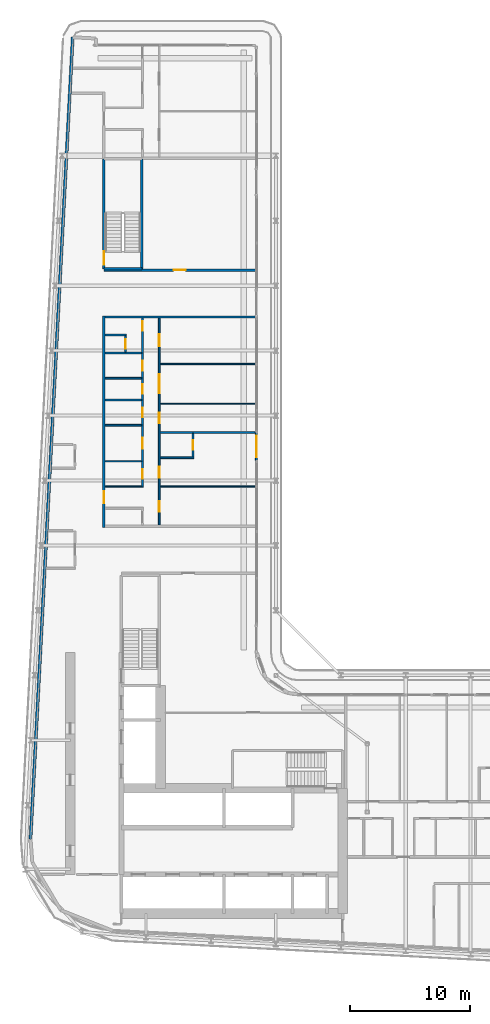
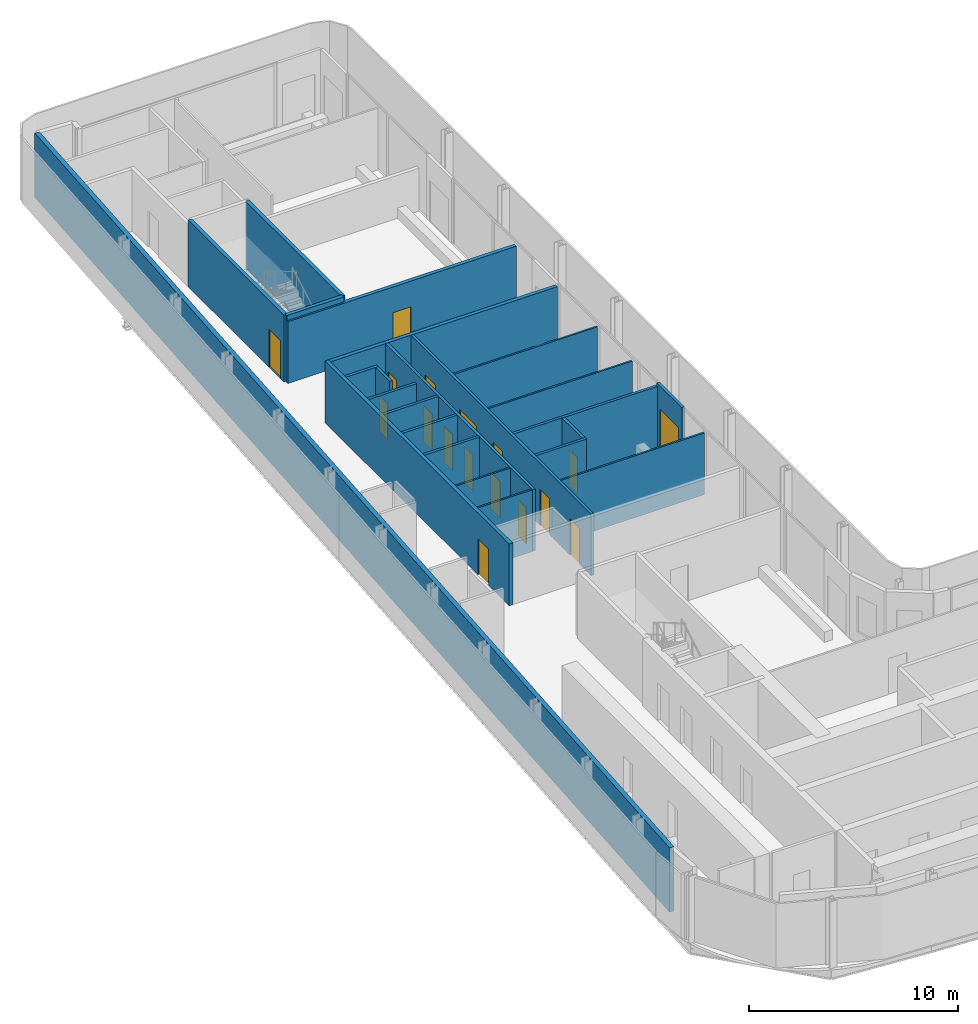
# One storey, part 20 of 30: 24 walls, 17 doors, 17 openings.
"""IFC4 building model written with IfcOpenShell, lengths in metres."""

from ifc_helpers import new_model, si_unit, direction, frame, frame_2d, origin, place, context, subcontext, project, spatial, rectangle, extrude, source, transform, mapped, material, layer, layer_set, type_object, element, fill, save


model = new_model("IFC4")

# Units and contexts
model_context = context("Model", 3, precision=1e-05, world=origin(), true_north=direction((0.0, 1.0)))
body_context = subcontext(model_context, "Body", "Model", "MODEL_VIEW")
ifc_project = project(units=[si_unit("LENGTHUNIT", "METRE"), si_unit("AREAUNIT", "SQUARE_METRE"), si_unit("VOLUMEUNIT", "CUBIC_METRE"), si_unit("PLANEANGLEUNIT", "RADIAN"), si_unit("MASSUNIT", "GRAM", prefix="KILO")], contexts=[model_context])

# Site, building, storey
site_placement = place(None, origin())
site = spatial("IfcSite", under=ifc_project, at=site_placement, CompositionType="ELEMENT")
building_placement = place(site_placement, origin())
building = spatial("IfcBuilding", under=site, at=building_placement, Name="Kheshtan School and Residences Tower", CompositionType="ELEMENT")
storey_placement = place(building_placement, frame((0.0, 0.0, 164.300048828125)))
storey = spatial("IfcBuildingStorey", under=building, at=storey_placement, Name="L38", CompositionType="ELEMENT", Elevation=164.300048828125)

# Wall, opening, door
ifc_material_1 = material(Name="Gypsum board on steel studs with fire boards", Category="steel")
ifc_layer_1 = layer(ifc_material_1, 0.199951171875)
ifc_layer_set_1 = layer_set([ifc_layer_1], Name="Corridor wall 200")
wall_type_1 = type_object("IfcWallType", Name="Corridor wall 200", PredefinedType="PARTITIONING", material=ifc_layer_set_1)
wall_1_placement = place(storey_placement, frame((33.300048828125, 57.89990234375, 0.0), z_axis=(0.0, 0.0, 1.0), x_axis=(0.0, 1.0, 0.0)))
wall_1 = element("IfcWall", 1, at=wall_1_placement, inside=storey, type_object=wall_type_1, Name="Partition L38-003", PredefinedType="PARTITIONING", context=body_context, shape_type="SweptSolid", body=[
    extrude(rectangle(XDim=17.60009765625, YDim=0.199951171875, at=frame_2d((8.800048828125, 0.0))), origin(), (0.0, 0.0, 1.0), 3.599853515625),
])
opening_1_placement = place(wall_1_placement, frame((2.0, 0.0, 0.0)))
opening_1 = element("IfcOpeningElement", 2, at=opening_1_placement, cuts=wall_1, Name="Opening D37-505", PredefinedType="OPENING", context=body_context, shape_type="SweptSolid", body=[
    extrude(rectangle(XDim=1.0, YDim=2.10009765625, at=frame_2d((0.5, 1.050048828125))), frame((0.0, 0.10986328125, 0.0), z_axis=(0.0, -1.0, 0.0), x_axis=(1.0, 0.0, 0.0)), (0.0, 0.0, 1.0), 0.219970703125),
])
ifc_material_2 = material(Name="Steel-framed fire-resisting door leaf", Category="steel")
door_type_1 = type_object("IfcDoorType", Name="Fire door FD30S 1000 x 2100", OperationType="SINGLE_SWING_LEFT", PredefinedType="DOOR", material=ifc_material_2)
shared_shape_1 = source(origin(), body_context, "Body", "SweptSolid", [
    extrude(rectangle(XDim=1.0, YDim=2.10009765625, at=frame_2d((0.5, 1.050048828125))), frame((0.0, 0.02490234375, 0.0), z_axis=(0.0, -1.0, 0.0), x_axis=(1.0, 0.0, 0.0)), (0.0, 0.0, 1.0), 0.050048828125),
])
door_1_placement = place(opening_1_placement, origin())
door_1 = element("IfcDoor", 3, at=door_1_placement, inside=storey, type_object=door_type_1, Name="Door D37-505", OperationType="SINGLE_SWING_LEFT", OverallHeight=2.10009765625, OverallWidth=1.0, PredefinedType="DOOR", context=body_context, shape_type="MappedRepresentation", body=[
    mapped(shared_shape_1, transform((0.0, 0.0, 0.0), x_axis=(1.0, 0.0, 0.0), y_axis=(0.0, 1.0, 0.0), z_axis=(0.0, 0.0, 1.0), scale=1.0)),
])
fill(opening_1, door_1)

wall_2_placement = place(storey_placement, frame((33.300048828125, 79.300048828125, 0.0), z_axis=(0.0, 0.0, 1.0), x_axis=(1.0, 0.0, 0.0)))
wall_2 = element("IfcWall", 4, at=wall_2_placement, inside=storey, type_object=wall_type_1, Name="Partition L38-004", PredefinedType="PARTITIONING", context=body_context, shape_type="SweptSolid", body=[
    extrude(rectangle(XDim=12.599853515625, YDim=0.199951171875, at=frame_2d((6.2998046875, 0.0))), origin(), (0.0, 0.0, 1.0), 3.599853515625),
])
opening_2_placement = place(wall_2_placement, frame((5.794921875, 0.0, 0.0)))
opening_2 = element("IfcOpeningElement", 5, at=opening_2_placement, cuts=wall_2, Name="Opening D37-053", PredefinedType="OPENING", context=body_context, shape_type="SweptSolid", body=[
    extrude(rectangle(XDim=1.0, YDim=2.10009765625, at=frame_2d((0.5, 1.050048828125))), frame((0.0, 0.10986328125, 0.0), z_axis=(0.0, -1.0, 0.0), x_axis=(1.0, 0.0, 0.0)), (0.0, 0.0, 1.0), 0.219970703125),
])
door_type_2 = type_object("IfcDoorType", Name="Fire door FD60 1000 x 2100", OperationType="SINGLE_SWING_LEFT", PredefinedType="DOOR", material=ifc_material_2)
shared_shape_2 = source(origin(), body_context, "Body", "SweptSolid", [
    extrude(rectangle(XDim=1.0, YDim=2.10009765625, at=frame_2d((0.5, 1.050048828125))), frame((0.0, 0.02490234375, 0.0), z_axis=(0.0, -1.0, 0.0), x_axis=(1.0, 0.0, 0.0)), (0.0, 0.0, 1.0), 0.050048828125),
])
door_2_placement = place(opening_2_placement, origin())
door_2 = element("IfcDoor", 6, at=door_2_placement, inside=storey, type_object=door_type_2, Name="Door D37-053", OperationType="SINGLE_SWING_RIGHT", OverallHeight=2.10009765625, OverallWidth=1.0, PredefinedType="DOOR", context=body_context, shape_type="MappedRepresentation", body=[
    mapped(shared_shape_2, transform((0.0, 0.0, 0.0), x_axis=(1.0, 0.0, 0.0), y_axis=(0.0, 1.0, 0.0), z_axis=(0.0, 0.0, 1.0), scale=1.0)),
])
fill(opening_2, door_2)

# Walls
wall_3_placement = place(storey_placement, frame((33.39990234375, 75.39990234375, 0.0), z_axis=(0.0, 0.0, 1.0), x_axis=(1.0, 0.0, 0.0)))
element("IfcWall", 7, at=wall_3_placement, inside=storey, type_object=wall_type_1, Name="Partition L38-015", PredefinedType="PARTITIONING", context=body_context, shape_type="SweptSolid", body=[
    extrude(rectangle(XDim=12.5, YDim=0.199951171875, at=frame_2d((6.25, 0.0))), origin(), (0.0, 0.0, 1.0), 3.599853515625),
])
ifc_material_3 = material(Name="Concrete C40/50 with ceramic cladding and mineral wool insulation", Category="concrete")
ifc_layer_2 = layer(ifc_material_3, 0.25)
ifc_layer_set_2 = layer_set([ifc_layer_2], Name="External wall 250 ceramic clad")
wall_type_2 = type_object("IfcWallType", Name="External wall 250 ceramic clad", PredefinedType="SOLIDWALL", material=ifc_layer_set_2)
wall_4_placement = place(storey_placement, frame((27.195068359375, 31.968994140625, 0.0), z_axis=(0.0, 0.0, 1.0), x_axis=(0.052554995867, 0.998618031286, 0.0)))
element("IfcWall", 8, at=wall_4_placement, inside=storey, type_object=wall_type_2, Name="External wall L38 4", PredefinedType="SOLIDWALL", context=body_context, shape_type="SweptSolid", body=[
    extrude(rectangle(XDim=66.787353515625, YDim=0.25, at=frame_2d((33.3935546875, 0.0))), origin(), (0.0, 0.0, 1.0), 3.75),
])

# Wall, opening, door
ifc_material_4 = material(Name="Aluminium frame wall with insulated infill", Category="aluminium")
ifc_layer_3 = layer(ifc_material_4, 0.14990234375)
ifc_layer_set_3 = layer_set([ifc_layer_3], Name="Glazing frame wall 150")
wall_type_3 = type_object("IfcWallType", Name="Glazing frame wall 150", PredefinedType="SOLIDWALL", material=ifc_layer_set_3)
wall_5_placement = place(storey_placement, frame((45.97509765625, 65.818115234375, 0.0), z_axis=(0.0, 0.0, 1.0), x_axis=(0.0, -1.0, 0.0)))
wall_5 = element("IfcWall", 9, at=wall_5_placement, inside=storey, type_object=wall_type_3, Name="Balcony door wall L38 8.4", PredefinedType="SOLIDWALL", context=body_context, shape_type="SweptSolid", body=[
    extrude(rectangle(XDim=2.400146484375, YDim=0.14990234375, at=frame_2d((1.2001953125, 0.0))), origin(), (0.0, 0.0, 1.0), 3.75),
])
opening_3_placement = place(wall_5_placement, frame((0.300048828125, 0.0, 0.0)))
opening_3 = element("IfcOpeningElement", 10, at=opening_3_placement, cuts=wall_5, Name="Opening BD", PredefinedType="OPENING", context=body_context, shape_type="SweptSolid", body=[
    extrude(rectangle(XDim=1.800048828125, YDim=2.39990234375, at=frame_2d((0.89990234375, 1.199951171875))), frame((0.0, 0.0849609375, 0.0), z_axis=(0.0, -1.0, 0.0), x_axis=(1.0, 0.0, 0.0)), (0.0, 0.0, 1.0), 0.169921875),
])
ifc_material_5 = material(Name="Clear low-e glass in thermally broken aluminium frame", Category="aluminium")
door_type_3 = type_object("IfcDoorType", Name="Balcony sliding door", OperationType="SLIDING_TO_LEFT", PredefinedType="DOOR", material=ifc_material_5)
shared_shape_3 = source(origin(), body_context, "Body", "SweptSolid", [
    extrude(rectangle(XDim=1.800048828125, YDim=2.39990234375, at=frame_2d((0.89990234375, 1.199951171875))), frame((0.0, 0.02490234375, 0.0), z_axis=(0.0, -1.0, 0.0), x_axis=(1.0, 0.0, 0.0)), (0.0, 0.0, 1.0), 0.050048828125),
])
door_3_placement = place(opening_3_placement, origin())
door_3 = element("IfcDoor", 11, at=door_3_placement, inside=storey, type_object=door_type_3, Name="Balcony door L38 8.4", OperationType="SLIDING_TO_LEFT", OverallHeight=2.39990234375, OverallWidth=1.800048828125, PredefinedType="DOOR", context=body_context, shape_type="MappedRepresentation", body=[
    mapped(shared_shape_3, transform((0.0, 0.0, 0.0), x_axis=(1.0, 0.0, 0.0), y_axis=(0.0, 1.0, 0.0), z_axis=(0.0, 0.0, 1.0), scale=1.0)),
])
fill(opening_3, door_3)

# Walls
ifc_material_6 = material(Name="Gypsum board on steel studs", Category="steel")
ifc_layer_4 = layer(ifc_material_6, 0.10009765625)
ifc_layer_set_4 = layer_set([ifc_layer_4], Name="Gypsum partition 100")
wall_type_4 = type_object("IfcWallType", Name="Gypsum partition 100", PredefinedType="PARTITIONING", material=ifc_layer_set_4)
for number, where, z_axis, x_axis, name in (
    (12, (33.39990234375, 61.300048828125, 0.0), (0.0, 0.0, 1.0), (1.0, 0.0, 0.0), "Partition L38-008"),
    (13, (33.39990234375, 63.39990234375, 0.0), (0.0, 0.0, 1.0), (1.0, 0.0, 0.0), "Partition L38-009"),
):
    element("IfcWall", number, at=place(storey_placement, frame(where, z_axis=z_axis, x_axis=x_axis)), inside=storey, type_object=wall_type_4, Name=name, PredefinedType="PARTITIONING", context=body_context, shape_type="SweptSolid", body=[
        extrude(rectangle(XDim=3.025146484375, YDim=0.10009765625, at=frame_2d((1.5126953125, 0.0))), origin(), (0.0, 0.0, 1.0), 3.599853515625),
    ])
for number, where, z_axis, x_axis, name in (
    (14, (37.97509765625, 61.300048828125, 0.0), (0.0, 0.0, 1.0), (1.0, 0.0, 0.0), "Partition L38-030"),
    (15, (37.97509765625, 68.199951171875, 0.0), (0.0, 0.0, 1.0), (1.0, 0.0, 0.0), "Partition L38-033"),
    (16, (37.97509765625, 71.5, 0.0), (0.0, 0.0, 1.0), (1.0, 0.0, 0.0), "Partition L38-034"),
):
    element("IfcWall", number, at=place(storey_placement, frame(where, z_axis=z_axis, x_axis=x_axis)), inside=storey, type_object=wall_type_4, Name=name, PredefinedType="PARTITIONING", context=body_context, shape_type="SweptSolid", body=[
        extrude(rectangle(XDim=7.9248046875, YDim=0.10009765625, at=frame_2d((3.96240234375, 0.0))), origin(), (0.0, 0.0, 1.0), 3.599853515625),
    ])
ifc_material_7 = material(Name="Concrete C40/50", Category="concrete")
ifc_layer_5 = layer(ifc_material_7, 0.199951171875)
ifc_layer_set_5 = layer_set([ifc_layer_5], Name="Stair enclosure wall 200 Concrete C40/50")
wall_type_5 = type_object("IfcWallType", Name="Stair enclosure wall 200 Concrete C40/50", PredefinedType="SHEAR", material=ifc_layer_set_5)
wall_6_placement = place(storey_placement, frame((33.300048828125, 79.39990234375, 0.0), z_axis=(0.0, 0.0, 1.0), x_axis=(1.0, 0.0, 0.0)))
element("IfcWall", 17, at=wall_6_placement, inside=storey, type_object=wall_type_5, Name="Stair enclosure wall ST3", PredefinedType="SHEAR", context=body_context, shape_type="SweptSolid", body=[
    extrude(rectangle(XDim=3.14990234375, YDim=0.199951171875, at=frame_2d((1.574951171875, 0.0))), origin(), (0.0, 0.0, 1.0), 3.89990234375),
])

# Wall, opening, door
wall_7_placement = place(storey_placement, frame((33.300048828125, 79.39990234375, 0.0), z_axis=(0.0, 0.0, 1.0), x_axis=(0.0, 1.0, 0.0)))
wall_7 = element("IfcWall", 18, at=wall_7_placement, inside=storey, type_object=wall_type_5, Name="Stair enclosure wall ST3", PredefinedType="SHEAR", context=body_context, shape_type="SweptSolid", body=[
    extrude(rectangle(XDim=9.16015625, YDim=0.199951171875, at=frame_2d((4.580078125, 0.0))), origin(), (0.0, 0.0, 1.0), 3.89990234375),
])
opening_4_placement = place(wall_7_placement, frame((0.35009765625, 0.0, 0.0)))
opening_4 = element("IfcOpeningElement", 19, at=opening_4_placement, cuts=wall_7, Name="Opening ST3D", PredefinedType="OPENING", context=body_context, shape_type="SweptSolid", body=[
    extrude(rectangle(XDim=1.10009765625, YDim=2.199951171875, at=frame_2d((0.550048828125, 1.10009765625))), frame((0.0, 0.10986328125, 0.0), z_axis=(0.0, -1.0, 0.0), x_axis=(1.0, 0.0, 0.0)), (0.0, 0.0, 1.0), 0.219970703125),
])
ifc_material_8 = material(Name="Steel door leaf, galvanised", Category="steel")
door_type_4 = type_object("IfcDoorType", Name="Stair door 1100 steel 90 min", OperationType="SINGLE_SWING_LEFT", PredefinedType="DOOR", material=ifc_material_8)
shared_shape_4 = source(origin(), body_context, "Body", "SweptSolid", [
    extrude(rectangle(XDim=1.10009765625, YDim=2.199951171875, at=frame_2d((0.550048828125, 1.10009765625))), frame((0.0, 0.02490234375, 0.0), z_axis=(0.0, -1.0, 0.0), x_axis=(1.0, 0.0, 0.0)), (0.0, 0.0, 1.0), 0.050048828125),
])
door_4_placement = place(opening_4_placement, origin())
door_4 = element("IfcDoor", 20, at=door_4_placement, inside=storey, type_object=door_type_4, Name="Stair ST3 door", OperationType="SINGLE_SWING_RIGHT", OverallHeight=2.199951171875, OverallWidth=1.10009765625, PredefinedType="DOOR", context=body_context, shape_type="MappedRepresentation", body=[
    mapped(shared_shape_4, transform((0.0, 0.0, 0.0), x_axis=(1.0, 0.0, 0.0), y_axis=(0.0, 1.0, 0.0), z_axis=(0.0, 0.0, 1.0), scale=1.0)),
])
fill(opening_4, door_4)

# Walls
wall_8_placement = place(storey_placement, frame((36.449951171875, 79.39990234375, 0.0), z_axis=(0.0, 0.0, 1.0), x_axis=(0.0, 1.0, 0.0)))
element("IfcWall", 21, at=wall_8_placement, inside=storey, type_object=wall_type_5, Name="Stair enclosure wall ST3", PredefinedType="SHEAR", context=body_context, shape_type="SweptSolid", body=[
    extrude(rectangle(XDim=9.16015625, YDim=0.199951171875, at=frame_2d((4.580078125, 0.0))), origin(), (0.0, 0.0, 1.0), 3.89990234375),
])
ifc_material_9 = material(Name="Moisture-resistant gypsum board on steel studs", Category="steel")
ifc_layer_6 = layer(ifc_material_9, 0.14990234375)
ifc_layer_set_6 = layer_set([ifc_layer_6], Name="Wet-room partition 150")
wall_type_6 = type_object("IfcWallType", Name="Wet-room partition 150", PredefinedType="PARTITIONING", material=ifc_layer_set_6)
for number, where, z_axis, x_axis, name in (
    (22, (33.39990234375, 66.39990234375, 0.0), (0.0, 0.0, 1.0), (1.0, 0.0, 0.0), "Partition L38-010"),
    (23, (33.39990234375, 68.5, 0.0), (0.0, 0.0, 1.0), (1.0, 0.0, 0.0), "Partition L38-011"),
    (24, (33.39990234375, 70.300048828125, 0.0), (0.0, 0.0, 1.0), (1.0, 0.0, 0.0), "Partition L38-012"),
):
    element("IfcWall", number, at=place(storey_placement, frame(where, z_axis=z_axis, x_axis=x_axis)), inside=storey, type_object=wall_type_6, Name=name, PredefinedType="PARTITIONING", context=body_context, shape_type="SweptSolid", body=[
        extrude(rectangle(XDim=3.025146484375, YDim=0.14990234375, at=frame_2d((1.5126953125, 0.0))), origin(), (0.0, 0.0, 1.0), 3.599853515625),
    ])
wall_9_placement = place(storey_placement, frame((33.39990234375, 72.39990234375, 0.0), z_axis=(0.0, 0.0, 1.0), x_axis=(1.0, 0.0, 0.0)))
element("IfcWall", 25, at=wall_9_placement, inside=storey, type_object=wall_type_6, Name="Partition L38-013", PredefinedType="PARTITIONING", context=body_context, shape_type="SweptSolid", body=[
    extrude(rectangle(XDim=3.025146484375, YDim=0.14990234375, at=frame_2d((1.5126953125, 0.0))), origin(), (0.0, 0.0, 1.0), 3.072021484375),
])
wall_10_placement = place(storey_placement, frame((33.39990234375, 73.89990234375, 0.0), z_axis=(0.0, 0.0, 1.0), x_axis=(1.0, 0.0, 0.0)))
element("IfcWall", 26, at=wall_10_placement, inside=storey, type_object=wall_type_6, Name="Partition L38-014", PredefinedType="PARTITIONING", context=body_context, shape_type="SweptSolid", body=[
    extrude(rectangle(XDim=1.775146484375, YDim=0.14990234375, at=frame_2d((0.8876953125, 0.0))), origin(), (0.0, 0.0, 1.0), 3.599853515625),
])

# Wall, opening, door
wall_11_placement = place(storey_placement, frame((35.10009765625, 72.47509765625, 0.0), z_axis=(0.0, 0.0, 1.0), x_axis=(0.0, 1.0, 0.0)))
wall_11 = element("IfcWall", 27, at=wall_11_placement, inside=storey, type_object=wall_type_6, Name="Partition L38-021", PredefinedType="PARTITIONING", context=body_context, shape_type="SweptSolid", body=[
    extrude(rectangle(XDim=1.349853515625, YDim=0.14990234375, at=frame_2d((0.6748046875, 0.0))), origin(), (0.0, 0.0, 1.0), 3.599853515625),
])
opening_5_placement = place(wall_11_placement, frame((0.27490234375, 0.0, 0.0)))
opening_5 = element("IfcOpeningElement", 28, at=opening_5_placement, cuts=wall_11, Name="Opening D37-509", PredefinedType="OPENING", context=body_context, shape_type="SweptSolid", body=[
    extrude(rectangle(XDim=0.800048828125, YDim=2.10009765625, at=frame_2d((0.39990234375, 1.050048828125))), frame((0.0, 0.0849609375, 0.0), z_axis=(0.0, -1.0, 0.0), x_axis=(1.0, 0.0, 0.0)), (0.0, 0.0, 1.0), 0.169921875),
])
ifc_material_10 = material(Name="Veneered timber door leaf", Category="wood")
door_type_5 = type_object("IfcDoorType", Name="Door 800 x 2100", OperationType="SINGLE_SWING_LEFT", PredefinedType="DOOR", material=ifc_material_10)
shared_shape_5 = source(origin(), body_context, "Body", "SweptSolid", [
    extrude(rectangle(XDim=0.800048828125, YDim=2.10009765625, at=frame_2d((0.39990234375, 1.050048828125))), frame((0.0, 0.02490234375, 0.0), z_axis=(0.0, -1.0, 0.0), x_axis=(1.0, 0.0, 0.0)), (0.0, 0.0, 1.0), 0.050048828125),
])
door_5_placement = place(opening_5_placement, origin())
door_5 = element("IfcDoor", 29, at=door_5_placement, inside=storey, type_object=door_type_5, Name="Door D37-509", OperationType="SINGLE_SWING_LEFT", OverallHeight=2.10009765625, OverallWidth=0.800048828125, PredefinedType="DOOR", context=body_context, shape_type="MappedRepresentation", body=[
    mapped(shared_shape_5, transform((0.0, 0.0, 0.0), x_axis=(1.0, 0.0, 0.0), y_axis=(0.0, 1.0, 0.0), z_axis=(0.0, 0.0, 1.0), scale=1.0)),
])
fill(opening_5, door_5)

# Wall, openings, doors
wall_12_placement = place(storey_placement, frame((36.5, 61.25, 0.0), z_axis=(0.0, 0.0, 1.0), x_axis=(0.0, 1.0, 0.0)))
wall_12 = element("IfcWall", 30, at=wall_12_placement, inside=storey, type_object=wall_type_6, Name="Partition L38-024", PredefinedType="PARTITIONING", context=body_context, shape_type="SweptSolid", body=[
    extrude(rectangle(XDim=14.050048828125, YDim=0.14990234375, at=frame_2d((7.02490234375, 0.0))), origin(), (0.0, 0.0, 1.0), 3.599853515625),
])
opening_6_placement = place(wall_12_placement, frame((5.800048828125, 0.0, 0.0)))
opening_6 = element("IfcOpeningElement", 31, at=opening_6_placement, cuts=wall_12, Name="Opening D37-029", PredefinedType="OPENING", context=body_context, shape_type="SweptSolid", body=[
    extrude(rectangle(XDim=0.800048828125, YDim=2.10009765625, at=frame_2d((0.39990234375, 1.050048828125))), frame((0.0, 0.0849609375, 0.0), z_axis=(0.0, -1.0, 0.0), x_axis=(1.0, 0.0, 0.0)), (0.0, 0.0, 1.0), 0.169921875),
])
opening_7_placement = place(wall_12_placement, frame((9.699951171875, 0.0, 0.0)))
opening_7 = element("IfcOpeningElement", 32, at=opening_7_placement, cuts=wall_12, Name="Opening D37-502", PredefinedType="OPENING", context=body_context, shape_type="SweptSolid", body=[
    extrude(rectangle(XDim=0.800048828125, YDim=2.10009765625, at=frame_2d((0.39990234375, 1.050048828125))), frame((0.0, 0.0849609375, 0.0), z_axis=(0.0, -1.0, 0.0), x_axis=(1.0, 0.0, 0.0)), (0.0, 0.0, 1.0), 0.169921875),
])
opening_8_placement = place(wall_12_placement, frame((0.699951171875, 0.0, 0.0)))
opening_8 = element("IfcOpeningElement", 33, at=opening_8_placement, cuts=wall_12, Name="Opening D37-033", PredefinedType="OPENING", context=body_context, shape_type="SweptSolid", body=[
    extrude(rectangle(XDim=0.800048828125, YDim=2.10009765625, at=frame_2d((0.39990234375, 1.050048828125))), frame((0.0, 0.0849609375, 0.0), z_axis=(0.0, -1.0, 0.0), x_axis=(1.0, 0.0, 0.0)), (0.0, 0.0, 1.0), 0.169921875),
])
opening_9_placement = place(wall_12_placement, frame((3.199951171875, 0.0, 0.0)))
opening_9 = element("IfcOpeningElement", 34, at=opening_9_placement, cuts=wall_12, Name="Opening D37-506", PredefinedType="OPENING", context=body_context, shape_type="SweptSolid", body=[
    extrude(rectangle(XDim=0.89990234375, YDim=2.10009765625, at=frame_2d((0.449951171875, 1.050048828125))), frame((0.0, 0.0849609375, 0.0), z_axis=(0.0, -1.0, 0.0), x_axis=(1.0, 0.0, 0.0)), (0.0, 0.0, 1.0), 0.169921875),
])
opening_10_placement = place(wall_12_placement, frame((7.75, 0.0, 0.0)))
opening_10 = element("IfcOpeningElement", 35, at=opening_10_placement, cuts=wall_12, Name="Opening D37-507", PredefinedType="OPENING", context=body_context, shape_type="SweptSolid", body=[
    extrude(rectangle(XDim=0.800048828125, YDim=2.10009765625, at=frame_2d((0.39990234375, 1.050048828125))), frame((0.0, 0.0849609375, 0.0), z_axis=(0.0, -1.0, 0.0), x_axis=(1.0, 0.0, 0.0)), (0.0, 0.0, 1.0), 0.169921875),
])
opening_11_placement = place(wall_12_placement, frame((13.0, 0.0, 0.0)))
opening_11 = element("IfcOpeningElement", 36, at=opening_11_placement, cuts=wall_12, Name="Opening D37-039", PredefinedType="OPENING", context=body_context, shape_type="SweptSolid", body=[
    extrude(rectangle(XDim=0.800048828125, YDim=2.10009765625, at=frame_2d((0.39990234375, 1.050048828125))), frame((0.0, 0.0849609375, 0.0), z_axis=(0.0, -1.0, 0.0), x_axis=(1.0, 0.0, 0.0)), (0.0, 0.0, 1.0), 0.169921875),
])
door_6_placement = place(opening_6_placement, origin())
door_6 = element("IfcDoor", 37, at=door_6_placement, inside=storey, type_object=door_type_5, Name="Door D37-029", OperationType="SINGLE_SWING_RIGHT", OverallHeight=2.10009765625, OverallWidth=0.800048828125, PredefinedType="DOOR", context=body_context, shape_type="MappedRepresentation", body=[
    mapped(shared_shape_5, transform((0.0, 0.0, 0.0), x_axis=(1.0, 0.0, 0.0), y_axis=(0.0, 1.0, 0.0), z_axis=(0.0, 0.0, 1.0), scale=1.0)),
])
fill(opening_6, door_6)
door_7_placement = place(opening_7_placement, origin())
door_7 = element("IfcDoor", 38, at=door_7_placement, inside=storey, type_object=door_type_5, Name="Door D37-502", OperationType="SINGLE_SWING_LEFT", OverallHeight=2.10009765625, OverallWidth=0.800048828125, PredefinedType="DOOR", context=body_context, shape_type="MappedRepresentation", body=[
    mapped(shared_shape_5, transform((0.0, 0.0, 0.0), x_axis=(1.0, 0.0, 0.0), y_axis=(0.0, 1.0, 0.0), z_axis=(0.0, 0.0, 1.0), scale=1.0)),
])
fill(opening_7, door_7)
door_8_placement = place(opening_8_placement, origin())
door_8 = element("IfcDoor", 39, at=door_8_placement, inside=storey, type_object=door_type_5, Name="Door D37-033", OperationType="SINGLE_SWING_LEFT", OverallHeight=2.10009765625, OverallWidth=0.800048828125, PredefinedType="DOOR", context=body_context, shape_type="MappedRepresentation", body=[
    mapped(shared_shape_5, transform((0.0, 0.0, 0.0), x_axis=(1.0, 0.0, 0.0), y_axis=(0.0, 1.0, 0.0), z_axis=(0.0, 0.0, 1.0), scale=1.0)),
])
fill(opening_8, door_8)
door_9_placement = place(opening_10_placement, origin())
door_9 = element("IfcDoor", 40, at=door_9_placement, inside=storey, type_object=door_type_5, Name="Door D37-507", OperationType="SINGLE_SWING_RIGHT", OverallHeight=2.10009765625, OverallWidth=0.800048828125, PredefinedType="DOOR", context=body_context, shape_type="MappedRepresentation", body=[
    mapped(shared_shape_5, transform((0.0, 0.0, 0.0), x_axis=(1.0, 0.0, 0.0), y_axis=(0.0, 1.0, 0.0), z_axis=(0.0, 0.0, 1.0), scale=1.0)),
])
fill(opening_10, door_9)
door_10_placement = place(opening_11_placement, origin())
door_10 = element("IfcDoor", 41, at=door_10_placement, inside=storey, type_object=door_type_5, Name="Door D37-039", OperationType="SINGLE_SWING_RIGHT", OverallHeight=2.10009765625, OverallWidth=0.800048828125, PredefinedType="DOOR", context=body_context, shape_type="MappedRepresentation", body=[
    mapped(shared_shape_5, transform((0.0, 0.0, 0.0), x_axis=(1.0, 0.0, 0.0), y_axis=(0.0, 1.0, 0.0), z_axis=(0.0, 0.0, 1.0), scale=1.0)),
])
fill(opening_11, door_10)
door_type_6 = type_object("IfcDoorType", Name="Door 900 x 2100", OperationType="SINGLE_SWING_LEFT", PredefinedType="DOOR", material=ifc_material_10)
shared_shape_6 = source(origin(), body_context, "Body", "SweptSolid", [
    extrude(rectangle(XDim=0.89990234375, YDim=2.10009765625, at=frame_2d((0.449951171875, 1.050048828125))), frame((0.0, 0.02490234375, 0.0), z_axis=(0.0, -1.0, 0.0), x_axis=(1.0, 0.0, 0.0)), (0.0, 0.0, 1.0), 0.050048828125),
])
door_11_placement = place(opening_9_placement, origin())
door_11 = element("IfcDoor", 42, at=door_11_placement, inside=storey, type_object=door_type_6, Name="Door D37-506", OperationType="SINGLE_SWING_RIGHT", OverallHeight=2.10009765625, OverallWidth=0.89990234375, PredefinedType="DOOR", context=body_context, shape_type="MappedRepresentation", body=[
    mapped(shared_shape_6, transform((0.0, 0.0, 0.0), x_axis=(1.0, 0.0, 0.0), y_axis=(0.0, 1.0, 0.0), z_axis=(0.0, 0.0, 1.0), scale=1.0)),
])
fill(opening_9, door_11)

wall_13_placement = place(storey_placement, frame((37.89990234375, 58.10009765625, 0.0), z_axis=(0.0, 0.0, 1.0), x_axis=(0.0, 1.0, 0.0)))
wall_13 = element("IfcWall", 43, at=wall_13_placement, inside=storey, type_object=wall_type_6, Name="Partition L38-027", PredefinedType="PARTITIONING", context=body_context, shape_type="SweptSolid", body=[
    extrude(rectangle(XDim=17.199951171875, YDim=0.14990234375, at=frame_2d((8.60009765625, 0.0))), origin(), (0.0, 0.0, 1.0), 3.599853515625),
])
opening_12_placement = place(wall_13_placement, frame((1.10009765625, 0.0, 0.0)))
opening_12 = element("IfcOpeningElement", 44, at=opening_12_placement, cuts=wall_13, Name="Opening D37-031", PredefinedType="OPENING", context=body_context, shape_type="SweptSolid", body=[
    extrude(rectangle(XDim=0.89990234375, YDim=2.10009765625, at=frame_2d((0.449951171875, 1.050048828125))), frame((0.0, 0.0849609375, 0.0), z_axis=(0.0, -1.0, 0.0), x_axis=(1.0, 0.0, 0.0)), (0.0, 0.0, 1.0), 0.169921875),
])
opening_13_placement = place(wall_13_placement, frame((8.449951171875, 0.0, 0.0)))
opening_13 = element("IfcOpeningElement", 45, at=opening_13_placement, cuts=wall_13, Name="Opening D37-503", PredefinedType="OPENING", context=body_context, shape_type="SweptSolid", body=[
    extrude(rectangle(XDim=0.89990234375, YDim=2.10009765625, at=frame_2d((0.449951171875, 1.050048828125))), frame((0.0, 0.0849609375, 0.0), z_axis=(0.0, -1.0, 0.0), x_axis=(1.0, 0.0, 0.0)), (0.0, 0.0, 1.0), 0.169921875),
])
opening_14_placement = place(wall_13_placement, frame((14.85009765625, 0.0, 0.0)))
opening_14 = element("IfcOpeningElement", 46, at=opening_14_placement, cuts=wall_13, Name="Opening D37-508", PredefinedType="OPENING", context=body_context, shape_type="SweptSolid", body=[
    extrude(rectangle(XDim=1.0, YDim=2.10009765625, at=frame_2d((0.5, 1.050048828125))), frame((0.0, 0.0849609375, 0.0), z_axis=(0.0, -1.0, 0.0), x_axis=(1.0, 0.0, 0.0)), (0.0, 0.0, 1.0), 0.169921875),
])
opening_15_placement = place(wall_13_placement, frame((10.949951171875, 0.0, 0.0)))
opening_15 = element("IfcOpeningElement", 47, at=opening_15_placement, cuts=wall_13, Name="Opening D37-510", PredefinedType="OPENING", context=body_context, shape_type="SweptSolid", body=[
    extrude(rectangle(XDim=1.60009765625, YDim=2.10009765625, at=frame_2d((0.800048828125, 1.050048828125))), frame((0.0, 0.0849609375, 0.0), z_axis=(0.0, -1.0, 0.0), x_axis=(1.0, 0.0, 0.0)), (0.0, 0.0, 1.0), 0.169921875),
])
opening_16_placement = place(wall_13_placement, frame((3.949951171875, 0.0, 0.0)))
opening_16 = element("IfcOpeningElement", 48, at=opening_16_placement, cuts=wall_13, Name="Opening D37-511", PredefinedType="OPENING", context=body_context, shape_type="SweptSolid", body=[
    extrude(rectangle(XDim=0.89990234375, YDim=2.10009765625, at=frame_2d((0.449951171875, 1.050048828125))), frame((0.0, 0.0849609375, 0.0), z_axis=(0.0, -1.0, 0.0), x_axis=(1.0, 0.0, 0.0)), (0.0, 0.0, 1.0), 0.169921875),
])
door_type_7 = type_object("IfcDoorType", Name="Door 1000 x 2100", OperationType="SINGLE_SWING_LEFT", PredefinedType="DOOR", material=ifc_material_10)
shared_shape_7 = source(origin(), body_context, "Body", "SweptSolid", [
    extrude(rectangle(XDim=1.0, YDim=2.10009765625, at=frame_2d((0.5, 1.050048828125))), frame((0.0, 0.02490234375, 0.0), z_axis=(0.0, -1.0, 0.0), x_axis=(1.0, 0.0, 0.0)), (0.0, 0.0, 1.0), 0.050048828125),
])
door_12_placement = place(opening_14_placement, origin())
door_12 = element("IfcDoor", 49, at=door_12_placement, inside=storey, type_object=door_type_7, Name="Door D37-508", OperationType="SINGLE_SWING_RIGHT", OverallHeight=2.10009765625, OverallWidth=1.0, PredefinedType="DOOR", context=body_context, shape_type="MappedRepresentation", body=[
    mapped(shared_shape_7, transform((0.0, 0.0, 0.0), x_axis=(1.0, 0.0, 0.0), y_axis=(0.0, 1.0, 0.0), z_axis=(0.0, 0.0, 1.0), scale=1.0)),
])
fill(opening_14, door_12)
door_13_placement = place(opening_12_placement, origin())
door_13 = element("IfcDoor", 50, at=door_13_placement, inside=storey, type_object=door_type_6, Name="Door D37-031", OperationType="SINGLE_SWING_RIGHT", OverallHeight=2.10009765625, OverallWidth=0.89990234375, PredefinedType="DOOR", context=body_context, shape_type="MappedRepresentation", body=[
    mapped(shared_shape_6, transform((0.0, 0.0, 0.0), x_axis=(1.0, 0.0, 0.0), y_axis=(0.0, 1.0, 0.0), z_axis=(0.0, 0.0, 1.0), scale=1.0)),
])
fill(opening_12, door_13)
door_14_placement = place(opening_13_placement, origin())
door_14 = element("IfcDoor", 51, at=door_14_placement, inside=storey, type_object=door_type_6, Name="Door D37-503", OperationType="SINGLE_SWING_LEFT", OverallHeight=2.10009765625, OverallWidth=0.89990234375, PredefinedType="DOOR", context=body_context, shape_type="MappedRepresentation", body=[
    mapped(shared_shape_6, transform((0.0, 0.0, 0.0), x_axis=(1.0, 0.0, 0.0), y_axis=(0.0, 1.0, 0.0), z_axis=(0.0, 0.0, 1.0), scale=1.0)),
])
fill(opening_13, door_14)
door_15_placement = place(opening_16_placement, origin())
door_15 = element("IfcDoor", 52, at=door_15_placement, inside=storey, type_object=door_type_6, Name="Door D37-511", OperationType="SINGLE_SWING_RIGHT", OverallHeight=2.10009765625, OverallWidth=0.89990234375, PredefinedType="DOOR", context=body_context, shape_type="MappedRepresentation", body=[
    mapped(shared_shape_6, transform((0.0, 0.0, 0.0), x_axis=(1.0, 0.0, 0.0), y_axis=(0.0, 1.0, 0.0), z_axis=(0.0, 0.0, 1.0), scale=1.0)),
])
fill(opening_16, door_15)
door_type_8 = type_object("IfcDoorType", Name="Double door 1600 x 2100", OperationType="DOUBLE_DOOR_SINGLE_SWING", PredefinedType="DOOR", material=ifc_material_10)
shared_shape_8 = source(origin(), body_context, "Body", "SweptSolid", [
    extrude(rectangle(XDim=1.60009765625, YDim=2.10009765625, at=frame_2d((0.800048828125, 1.050048828125))), frame((0.0, 0.02490234375, 0.0), z_axis=(0.0, -1.0, 0.0), x_axis=(1.0, 0.0, 0.0)), (0.0, 0.0, 1.0), 0.050048828125),
])
door_16_placement = place(opening_15_placement, origin())
door_16 = element("IfcDoor", 53, at=door_16_placement, inside=storey, type_object=door_type_8, Name="Door D37-510", OperationType="DOUBLE_DOOR_SINGLE_SWING", OverallHeight=2.10009765625, OverallWidth=1.60009765625, PredefinedType="DOOR", context=body_context, shape_type="MappedRepresentation", body=[
    mapped(shared_shape_8, transform((0.0, 0.0, 0.0), x_axis=(1.0, 0.0, 0.0), y_axis=(0.0, 1.0, 0.0), z_axis=(0.0, 0.0, 1.0), scale=1.0)),
])
fill(opening_15, door_16)

# Walls
wall_14_placement = place(storey_placement, frame((37.97509765625, 63.699951171875, 0.0), z_axis=(0.0, 0.0, 1.0), x_axis=(1.0, 0.0, 0.0)))
element("IfcWall", 54, at=wall_14_placement, inside=storey, type_object=wall_type_6, Name="Partition L38-031", PredefinedType="PARTITIONING", context=body_context, shape_type="SweptSolid", body=[
    extrude(rectangle(XDim=2.7998046875, YDim=0.14990234375, at=frame_2d((1.39990234375, 0.0))), origin(), (0.0, 0.0, 1.0), 3.599853515625),
])
wall_15_placement = place(storey_placement, frame((37.97509765625, 65.800048828125, 0.0), z_axis=(0.0, 0.0, 1.0), x_axis=(1.0, 0.0, 0.0)))
element("IfcWall", 55, at=wall_15_placement, inside=storey, type_object=wall_type_6, Name="Partition L38-032", PredefinedType="PARTITIONING", context=body_context, shape_type="SweptSolid", body=[
    extrude(rectangle(XDim=7.9248046875, YDim=0.14990234375, at=frame_2d((3.96240234375, 0.0))), origin(), (0.0, 0.0, 1.0), 3.599853515625),
])

# Wall, opening, door
wall_16_placement = place(storey_placement, frame((40.699951171875, 63.77490234375, 0.0), z_axis=(0.0, 0.0, 1.0), x_axis=(0.0, 1.0, 0.0)))
wall_16 = element("IfcWall", 56, at=wall_16_placement, inside=storey, type_object=wall_type_6, Name="Partition L38-036", PredefinedType="PARTITIONING", context=body_context, shape_type="SweptSolid", body=[
    extrude(rectangle(XDim=1.9501953125, YDim=0.14990234375, at=frame_2d((0.97509765625, 0.0))), origin(), (0.0, 0.0, 1.0), 3.599853515625),
])
opening_17_placement = place(wall_16_placement, frame((0.574951171875, 0.0, 0.0)))
opening_17 = element("IfcOpeningElement", 57, at=opening_17_placement, cuts=wall_16, Name="Opening D37-504", PredefinedType="OPENING", context=body_context, shape_type="SweptSolid", body=[
    extrude(rectangle(XDim=0.800048828125, YDim=2.10009765625, at=frame_2d((0.39990234375, 1.050048828125))), frame((0.0, 0.0849609375, 0.0), z_axis=(0.0, -1.0, 0.0), x_axis=(1.0, 0.0, 0.0)), (0.0, 0.0, 1.0), 0.169921875),
])
door_17_placement = place(opening_17_placement, origin())
door_17 = element("IfcDoor", 58, at=door_17_placement, inside=storey, type_object=door_type_5, Name="Door D37-504", OperationType="SINGLE_SWING_RIGHT", OverallHeight=2.10009765625, OverallWidth=0.800048828125, PredefinedType="DOOR", context=body_context, shape_type="MappedRepresentation", body=[
    mapped(shared_shape_5, transform((0.0, 0.0, 0.0), x_axis=(1.0, 0.0, 0.0), y_axis=(0.0, 1.0, 0.0), z_axis=(0.0, 0.0, 1.0), scale=1.0)),
])
fill(opening_17, door_17)

save(model, "model.ifc")
